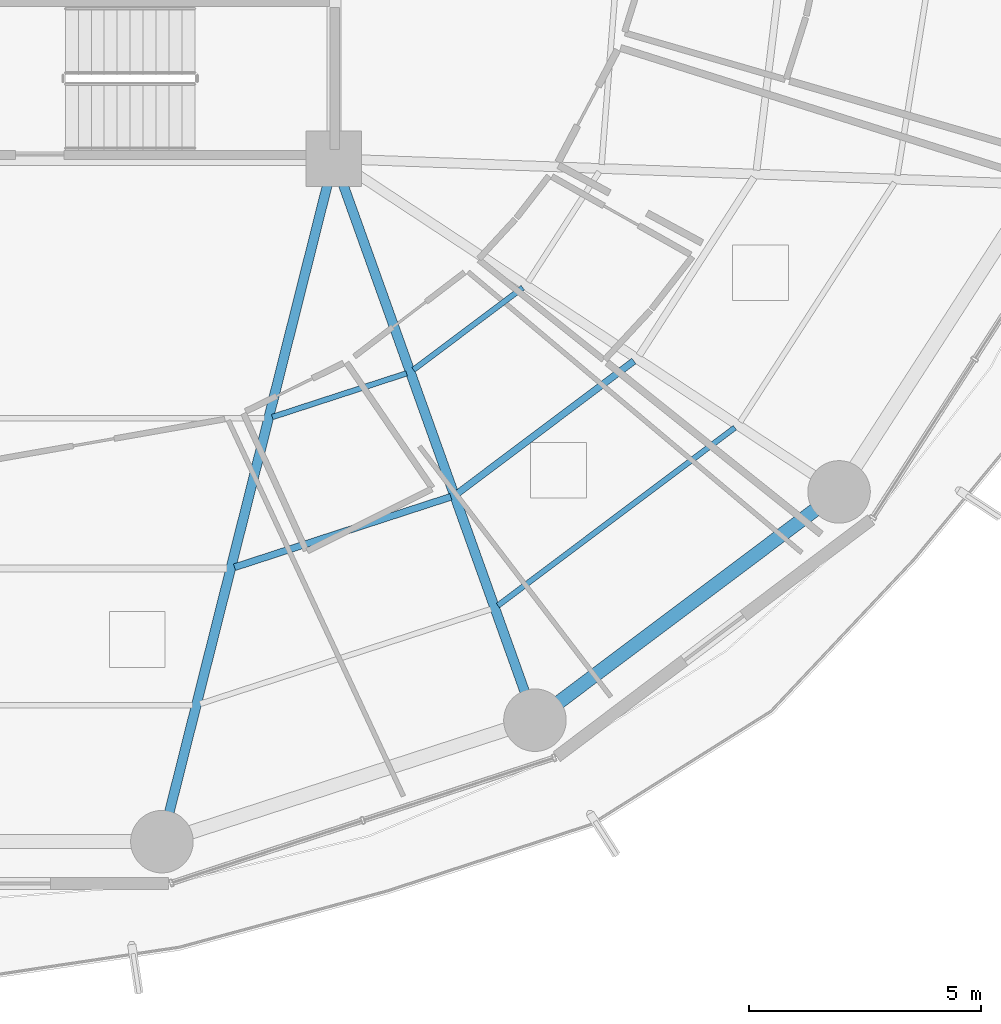
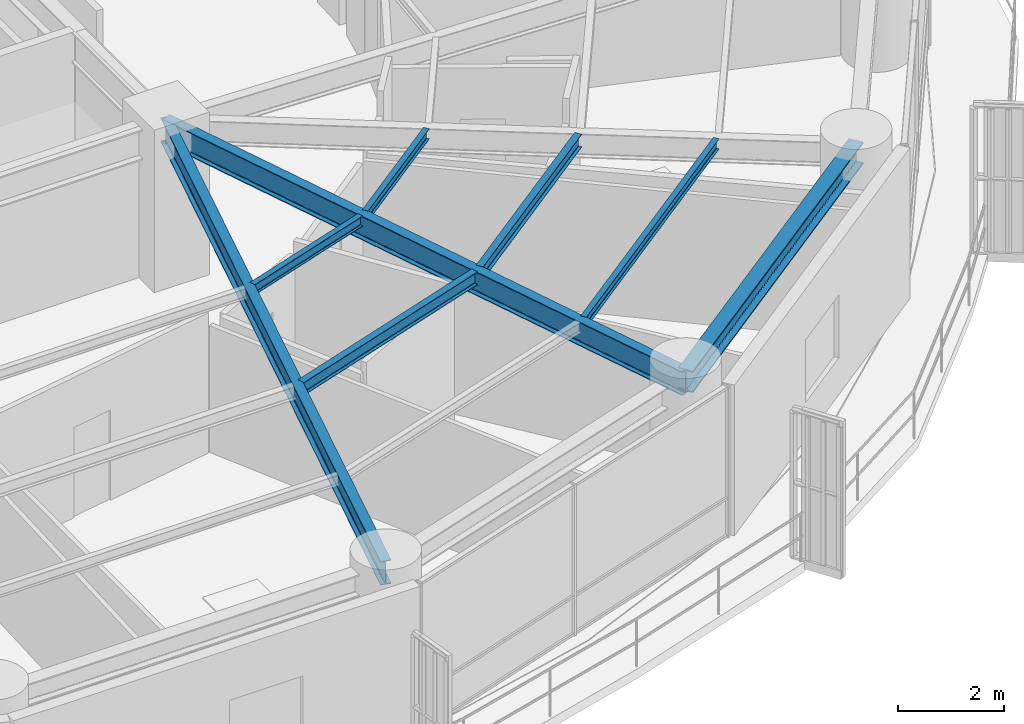
# One storey, part 11 of 38: 8 beams.
"""IFC4 building model written with IfcOpenShell, lengths in metres."""

from ifc_helpers import new_model, si_unit, direction, frame, origin, origin_2d, place, context, subcontext, project, spatial, i_section, extrude, material, material_profile, profile_set, type_object, element, save


model = new_model("IFC4")

# Units and contexts
model_context = context("Model", 3, precision=1e-05, world=origin(), true_north=direction((0.0, 1.0)))
body_context = subcontext(model_context, "Body", "Model", "MODEL_VIEW")
ifc_project = project(units=[si_unit("LENGTHUNIT", "METRE"), si_unit("AREAUNIT", "SQUARE_METRE"), si_unit("VOLUMEUNIT", "CUBIC_METRE"), si_unit("PLANEANGLEUNIT", "RADIAN"), si_unit("MASSUNIT", "GRAM", prefix="KILO")], contexts=[model_context])

# Site, building, storey
site_placement = place(None, origin())
site = spatial("IfcSite", under=ifc_project, at=site_placement, CompositionType="ELEMENT")
building_placement = place(site_placement, origin())
building = spatial("IfcBuilding", under=site, at=building_placement, Name="Kelanora Arch Commons", CompositionType="ELEMENT")
storey_placement = place(building_placement, frame((0.0, 0.0, 106.35009765625)))
storey = spatial("IfcBuildingStorey", under=building, at=storey_placement, Name="L27", CompositionType="ELEMENT", Elevation=106.35009765625)

# Beams
ifc_material = material(Name="Steel S355", Category="steel")
ifc_material_profile_1 = material_profile(ifc_material, i_section(OverallWidth=0.14990234375, OverallDepth=0.300048828125, WebThickness=0.007080078125, FlangeThickness=0.0107421875, FilletRadius=0.014892578125, at=origin_2d()), Name="IPE300")
ifc_profile_set_1 = profile_set([ifc_material_profile_1], Name="Steel S355")
beam_type_1 = type_object("IfcBeamType", Name="BM-JST-01", PredefinedType="JOIST", material=ifc_profile_set_1)
beam_1_placement = place(storey_placement, frame((79.852294921875, 42.1796875, 3.33984375), z_axis=(0.950857140254, 0.309629938521, 0.0), x_axis=(-0.309629938521, 0.950857140254, 0.0)))
element("IfcBeam", 1, at=beam_1_placement, inside=storey, type_object=beam_type_1, Name="Secondary Chord Joist BJB-28 L27", PredefinedType="JOIST", context=body_context, shape_type="SweptSolid", body=[
    extrude(i_section(OverallWidth=0.14990234375, OverallDepth=0.300048828125, WebThickness=0.007080078125, FlangeThickness=0.0107421875, FilletRadius=0.014892578125, at=origin_2d()), origin(), (0.0, 0.0, 1.0), 4.912353515625),
])
beam_2_placement = place(storey_placement, frame((84.672119140625, 43.77783203125, 3.33984375), z_axis=(0.79971039107, 0.600385951214, 0.0), x_axis=(-0.600385951214, 0.79971039107, 0.0)))
element("IfcBeam", 2, at=beam_2_placement, inside=storey, type_object=beam_type_1, Name="Secondary Chord Joist BJB-30 L27", PredefinedType="JOIST", context=body_context, shape_type="SweptSolid", body=[
    extrude(i_section(OverallWidth=0.14990234375, OverallDepth=0.300048828125, WebThickness=0.007080078125, FlangeThickness=0.0107421875, FilletRadius=0.014892578125, at=origin_2d()), origin(), (0.0, 0.0, 1.0), 4.756103515625),
])
ifc_material_profile_2 = material_profile(ifc_material, i_section(OverallWidth=0.1201171875, OverallDepth=0.239990234375, WebThickness=0.006103515625, FlangeThickness=0.009765625, FilletRadius=0.014892578125, at=origin_2d()), Name="IPE240")
ifc_profile_set_2 = profile_set([ifc_material_profile_2], Name="Steel S355")
beam_type_2 = type_object("IfcBeamType", Name="BM-JST-02", PredefinedType="JOIST", material=ifc_profile_set_2)
beam_3_placement = place(storey_placement, frame((80.66943359375, 45.42333984375, 3.369873046875), z_axis=(0.950846758946, 0.309661817151, 0.0), x_axis=(-0.309661817151, 0.950846758946, 0.0)))
element("IfcBeam", 3, at=beam_3_placement, inside=storey, type_object=beam_type_2, Name="Secondary Chord Joist BJA-28 L27", PredefinedType="JOIST", context=body_context, shape_type="SweptSolid", body=[
    extrude(i_section(OverallWidth=0.1201171875, OverallDepth=0.239990234375, WebThickness=0.006103515625, FlangeThickness=0.009765625, FilletRadius=0.014892578125, at=origin_2d()), origin(), (0.0, 0.0, 1.0), 3.048828125),
])
beam_4_placement = place(storey_placement, frame((83.71728515625, 46.444580078125, 3.369873046875), z_axis=(0.799692034361, 0.600410401458, 0.0), x_axis=(-0.600410401458, 0.799692034361, 0.0)))
element("IfcBeam", 4, at=beam_4_placement, inside=storey, type_object=beam_type_2, Name="Secondary Chord Joist BJA-30 L27", PredefinedType="JOIST", context=body_context, shape_type="SweptSolid", body=[
    extrude(i_section(OverallWidth=0.1201171875, OverallDepth=0.239990234375, WebThickness=0.006103515625, FlangeThickness=0.009765625, FilletRadius=0.014892578125, at=origin_2d()), origin(), (0.0, 0.0, 1.0), 2.949951171875),
])
beam_5_placement = place(storey_placement, frame((85.5400390625, 41.353515625, 3.369873046875), z_axis=(0.799734335646, 0.600354055861, 0.0), x_axis=(-0.600354055861, 0.799734335646, 0.0)))
element("IfcBeam", 5, at=beam_5_placement, inside=storey, type_object=beam_type_2, Name="Secondary Chord Joist BJC-30 L27", PredefinedType="JOIST", context=body_context, shape_type="SweptSolid", body=[
    extrude(i_section(OverallWidth=0.1201171875, OverallDepth=0.239990234375, WebThickness=0.006103515625, FlangeThickness=0.009765625, FilletRadius=0.014892578125, at=origin_2d()), origin(), (0.0, 0.0, 1.0), 6.39794921875),
])
ifc_material_profile_3 = material_profile(ifc_material, i_section(OverallWidth=0.2099609375, OverallDepth=0.550048828125, WebThickness=0.010986328125, FlangeThickness=0.01708984375, FilletRadius=0.02392578125, at=origin_2d()), Name="IPE550")
ifc_profile_set_3 = profile_set([ifc_material_profile_3], Name="Steel S355")
beam_type_3 = type_object("IfcBeamType", Name="BM-RAD-Z2", PredefinedType="BEAM", material=ifc_profile_set_3)
beam_6_placement = place(storey_placement, frame((82.0, 51.0, 3.21484375), z_axis=(-0.244280647475, -0.969704576286, 0.0), x_axis=(0.969704576286, -0.244280647475, 0.0)))
element("IfcBeam", 6, at=beam_6_placement, inside=storey, type_object=beam_type_3, Name="Radial Floor Girder BR-28 L27", PredefinedType="BEAM", context=body_context, shape_type="SweptSolid", body=[
    extrude(i_section(OverallWidth=0.2099609375, OverallDepth=0.550048828125, WebThickness=0.010986328125, FlangeThickness=0.01708984375, FilletRadius=0.02392578125, at=origin_2d()), origin(), (0.0, 0.0, 1.0), 15.205322265625),
])
beam_7_placement = place(storey_placement, frame((82.0, 51.0, 3.21484375), z_axis=(0.337084640008, -0.941474346687, 0.0), x_axis=(0.941474346687, 0.337084640008, 0.0)))
element("IfcBeam", 7, at=beam_7_placement, inside=storey, type_object=beam_type_3, Name="Radial Floor Girder BR-30 L27", PredefinedType="BEAM", context=body_context, shape_type="SweptSolid", body=[
    extrude(i_section(OverallWidth=0.2099609375, OverallDepth=0.550048828125, WebThickness=0.010986328125, FlangeThickness=0.01708984375, FilletRadius=0.02392578125, at=origin_2d()), origin(), (0.0, 0.0, 1.0), 12.875244140625),
])
ifc_material_profile_4 = material_profile(ifc_material, i_section(OverallWidth=0.300048828125, OverallDepth=0.5, WebThickness=0.014404296875, FlangeThickness=0.028076171875, FilletRadius=0.027099609375, at=origin_2d()), Name="HEB500")
ifc_profile_set_4 = profile_set([ifc_material_profile_4], Name="Steel S355")
beam_type_4 = type_object("IfcBeamType", Name="BM-SPN-Z2", PredefinedType="SPANDREL", material=ifc_profile_set_4)
beam_8_placement = place(storey_placement, frame((86.340087890625, 38.878173828125, 3.239990234375), z_axis=(0.799735861602, 0.600352023123, 0.0), x_axis=(-0.600352023123, 0.799735861602, 0.0)))
element("IfcBeam", 8, at=beam_8_placement, inside=storey, type_object=beam_type_4, Name="Perimeter Spandrel Beam BS-30 L27", PredefinedType="SPANDREL", context=body_context, shape_type="SweptSolid", body=[
    extrude(i_section(OverallWidth=0.300048828125, OverallDepth=0.5, WebThickness=0.014404296875, FlangeThickness=0.028076171875, FilletRadius=0.027099609375, at=origin_2d()), origin(), (0.0, 0.0, 1.0), 8.210205078125),
])

save(model, "model.ifc")
